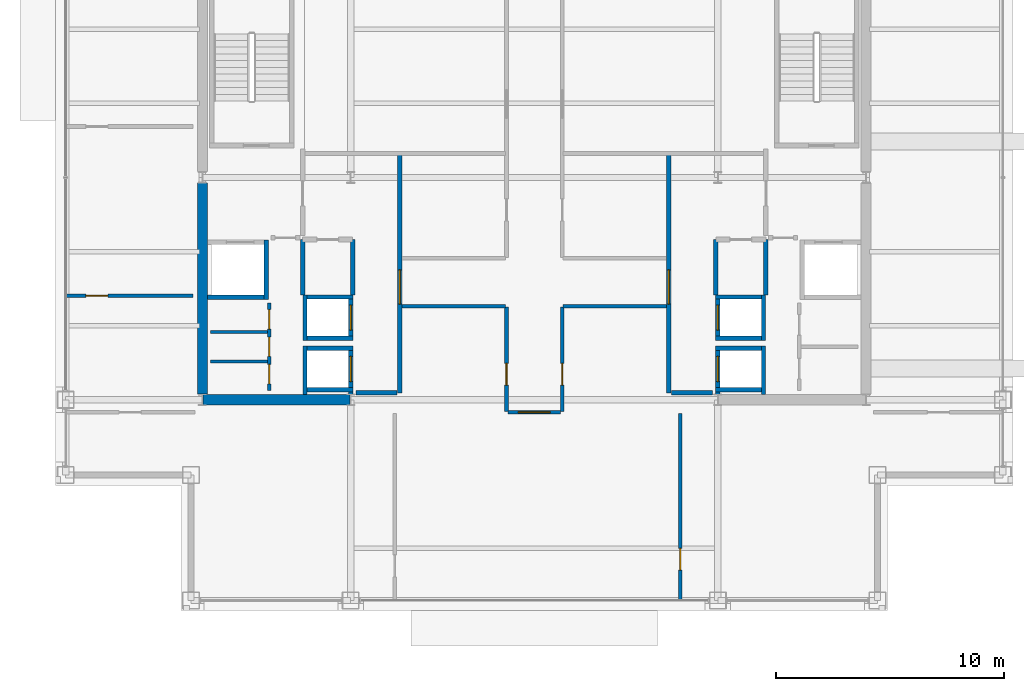
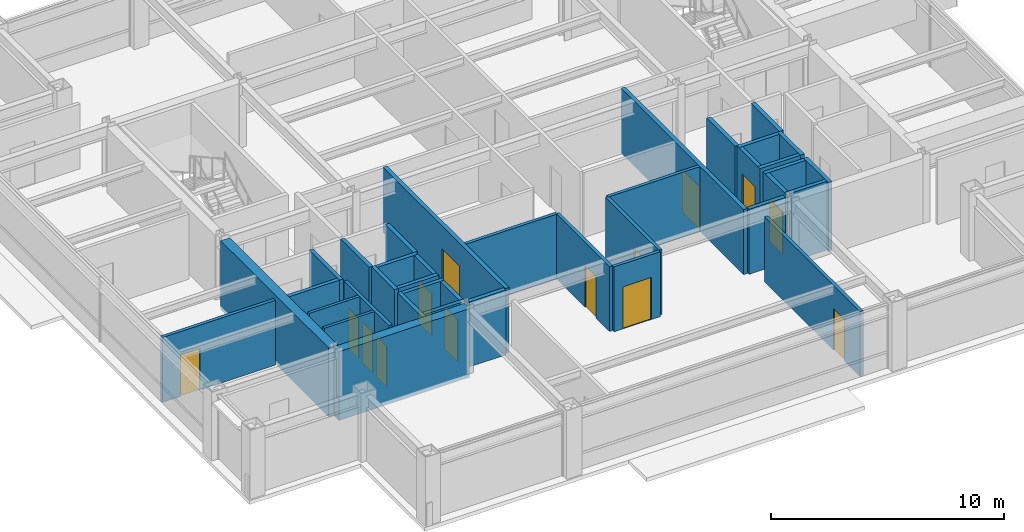
# One storey, part 23 of 26: 38 walls, 14 doors, 14 openings.
"""IFC4 building model written with IfcOpenShell, lengths in metres."""

from ifc_helpers import new_model, si_unit, direction, frame, frame_2d, origin, place, context, subcontext, project, spatial, rectangle, extrude, material, layer, layer_set, type_object, element, fill, save


model = new_model("IFC4")

# Units and contexts
model_context = context("Model", 3, precision=1e-05, world=origin(), true_north=direction((0.0, 1.0)))
body_context = subcontext(model_context, "Body", "Model", "MODEL_VIEW")
ifc_project = project(units=[si_unit("LENGTHUNIT", "METRE"), si_unit("AREAUNIT", "SQUARE_METRE"), si_unit("VOLUMEUNIT", "CUBIC_METRE"), si_unit("PLANEANGLEUNIT", "RADIAN"), si_unit("MASSUNIT", "GRAM", prefix="KILO")], contexts=[model_context])

# Site, building, storey
site_placement = place(None, origin())
site = spatial("IfcSite", under=ifc_project, at=site_placement, CompositionType="ELEMENT")
building_placement = place(site_placement, origin())
building = spatial("IfcBuilding", under=site, at=building_placement, Name="Brelmoor Portico Tower", CompositionType="ELEMENT")
storey_placement = place(building_placement, frame((0.0, 0.0, 180.300048828125)))
storey = spatial("IfcBuildingStorey", under=building, at=storey_placement, Name="L47", CompositionType="ELEMENT", Elevation=180.300048828125)

# Walls
ifc_material_1 = material(Name="Concrete C50", Category="concrete")
ifc_layer_1 = layer(ifc_material_1, 0.449951171875)
ifc_layer_set_1 = layer_set([ifc_layer_1], Name="Concrete C50")
wall_type_1 = type_object("IfcWallType", Name="WL-CORE-450", PredefinedType="SHEAR", material=ifc_layer_set_1)
wall_1_placement = place(storey_placement, frame((-14.530029296875, -9.75, -0.199951171875), z_axis=(0.0, 0.0, 1.0), x_axis=(1.0, 0.0, 0.0)))
element("IfcWall", 1, at=wall_1_placement, inside=storey, type_object=wall_type_1, Name="L47 WC South Shear Wall", PredefinedType="SHEAR", context=body_context, shape_type="SweptSolid", body=[
    extrude(rectangle(XDim=6.4599609375, YDim=0.449951171875, at=frame_2d((3.22998046875, 0.0))), origin(), (0.0, 0.0, 1.0), 3.599853515625),
])
wall_2_placement = place(storey_placement, frame((-14.550048828125, -9.5, -0.199951171875), z_axis=(0.0, 0.0, 1.0), x_axis=(0.0, 1.0, 0.0)))
element("IfcWall", 2, at=wall_2_placement, inside=storey, type_object=wall_type_1, Name="L47 WC Outer South Shear Wall", PredefinedType="SHEAR", context=body_context, shape_type="SweptSolid", body=[
    extrude(rectangle(XDim=9.25, YDim=0.449951171875, at=frame_2d((4.625, 0.0))), origin(), (0.0, 0.0, 1.0), 3.599853515625),
])
ifc_material_2 = material(Name="Insulated Stud Suite Partition", Category="gypsum")
ifc_layer_2 = layer(ifc_material_2, 0.139892578125)
ifc_layer_set_2 = layer_set([ifc_layer_2], Name="Insulated Stud Suite Partition")
wall_type_2 = type_object("IfcWallType", Name="WL-PART-140", PredefinedType="PARTITIONING", material=ifc_layer_set_2)
for number, where, z_axis, x_axis, name in (
    (3, (-11.699951171875, -8.066650390625, 0.0), (0.0, 0.0, 1.0), (-1.0, 0.0, 0.0), "L47 W Core WC Divider 1"),
    (4, (-11.699951171875, -6.783203125, 0.0), (0.0, 0.0, 1.0), (-1.0, 0.0, 0.0), "L47 W Core WC Divider 2"),
):
    element("IfcWall", number, at=place(storey_placement, frame(where, z_axis=z_axis, x_axis=x_axis)), inside=storey, type_object=wall_type_2, Name=name, PredefinedType="PARTITIONING", context=body_context, shape_type="SweptSolid", body=[
        extrude(rectangle(XDim=2.5, YDim=0.139892578125, at=frame_2d((1.25, 0.0))), origin(), (0.0, 0.0, 1.0), 3.39990234375),
    ])

# Wall, openings, doors
ifc_material_3 = material(Name="Twin-Frame Acoustic Partition", Category="gypsum")
ifc_layer_3 = layer(ifc_material_3, 0.159912109375)
ifc_layer_set_3 = layer_set([ifc_layer_3], Name="Twin-Frame Acoustic Partition")
wall_type_3 = type_object("IfcWallType", Name="WL-PART-160", PredefinedType="PARTITIONING", material=ifc_layer_set_3)
wall_3_placement = place(storey_placement, frame((-11.6201171875, -9.35009765625, 0.0), z_axis=(0.0, 0.0, 1.0), x_axis=(0.0, 1.0, 0.0)))
wall_3 = element("IfcWall", 5, at=wall_3_placement, inside=storey, type_object=wall_type_3, Name="L47 W Core Service Front Wall", PredefinedType="PARTITIONING", context=body_context, shape_type="SweptSolid", body=[
    extrude(rectangle(XDim=3.85009765625, YDim=0.159912109375, at=frame_2d((1.925048828125, 0.0))), origin(), (0.0, 0.0, 1.0), 3.39990234375),
])
opening_1_placement = place(wall_3_placement, frame((0.300048828125, 0.0, 0.0)))
opening_1 = element("IfcOpeningElement", 6, at=opening_1_placement, cuts=wall_3, Name="Opening D-WC1", PredefinedType="OPENING", context=body_context, shape_type="SweptSolid", body=[
    extrude(rectangle(XDim=0.85009765625, YDim=2.1201171875, at=frame_2d((0.425048828125, 1.06005859375))), frame((0.0, 0.08984375, 0.0), z_axis=(0.0, -1.0, 0.0), x_axis=(1.0, 0.0, 0.0)), (0.0, 0.0, 1.0), 0.179931640625),
])
opening_2_placement = place(wall_3_placement, frame((1.5, 0.0, 0.0)))
opening_2 = element("IfcOpeningElement", 7, at=opening_2_placement, cuts=wall_3, Name="Opening D-WC1", PredefinedType="OPENING", context=body_context, shape_type="SweptSolid", body=[
    extrude(rectangle(XDim=0.85009765625, YDim=2.1201171875, at=frame_2d((0.425048828125, 1.06005859375))), frame((0.0, 0.08984375, 0.0), z_axis=(0.0, -1.0, 0.0), x_axis=(1.0, 0.0, 0.0)), (0.0, 0.0, 1.0), 0.179931640625),
])
opening_3_placement = place(wall_3_placement, frame((2.699951171875, 0.0, 0.0)))
opening_3 = element("IfcOpeningElement", 8, at=opening_3_placement, cuts=wall_3, Name="Opening D-WC1", PredefinedType="OPENING", context=body_context, shape_type="SweptSolid", body=[
    extrude(rectangle(XDim=0.85009765625, YDim=2.1201171875, at=frame_2d((0.425048828125, 1.06005859375))), frame((0.0, 0.08984375, 0.0), z_axis=(0.0, -1.0, 0.0), x_axis=(1.0, 0.0, 0.0)), (0.0, 0.0, 1.0), 0.179931640625),
])
ifc_material_4 = material(Name="Moisture-Resistant Laminate WC Door", Category="timber")
door_type_1 = type_object("IfcDoorType", Name="DR-WC-850", OperationType="NOTDEFINED", PredefinedType="DOOR", material=ifc_material_4)
door_1_placement = place(opening_1_placement, origin())
door_1 = element("IfcDoor", 9, at=door_1_placement, inside=storey, type_object=door_type_1, Name="D-1995 L47 W Accessible WC Door", OperationType="SINGLE_SWING_LEFT", OverallHeight=2.1201171875, OverallWidth=0.85009765625, PredefinedType="DOOR", context=body_context, shape_type="SweptSolid", body=[
    extrude(rectangle(XDim=0.85009765625, YDim=2.1201171875, at=frame_2d((0.425048828125, 1.06005859375))), frame((0.0, 0.02490234375, 0.0), z_axis=(0.0, -1.0, 0.0), x_axis=(1.0, 0.0, 0.0)), (0.0, 0.0, 1.0), 0.050048828125),
])
fill(opening_1, door_1)
door_2_placement = place(opening_2_placement, origin())
door_2 = element("IfcDoor", 10, at=door_2_placement, inside=storey, type_object=door_type_1, Name="D-1996 L47 W Staff WC Door", OperationType="SINGLE_SWING_RIGHT", OverallHeight=2.1201171875, OverallWidth=0.85009765625, PredefinedType="DOOR", context=body_context, shape_type="SweptSolid", body=[
    extrude(rectangle(XDim=0.85009765625, YDim=2.1201171875, at=frame_2d((0.425048828125, 1.06005859375))), frame((0.0, 0.02490234375, 0.0), z_axis=(0.0, -1.0, 0.0), x_axis=(1.0, 0.0, 0.0)), (0.0, 0.0, 1.0), 0.050048828125),
])
fill(opening_2, door_2)
door_3_placement = place(opening_3_placement, origin())
door_3 = element("IfcDoor", 11, at=door_3_placement, inside=storey, type_object=door_type_1, Name="D-1997 L47 W Cleaner Store Door", OperationType="SINGLE_SWING_LEFT", OverallHeight=2.1201171875, OverallWidth=0.85009765625, PredefinedType="DOOR", context=body_context, shape_type="SweptSolid", body=[
    extrude(rectangle(XDim=0.85009765625, YDim=2.1201171875, at=frame_2d((0.425048828125, 1.06005859375))), frame((0.0, 0.02490234375, 0.0), z_axis=(0.0, -1.0, 0.0), x_axis=(1.0, 0.0, 0.0)), (0.0, 0.0, 1.0), 0.050048828125),
])
fill(opening_3, door_3)

# Wall, opening, door
wall_4_placement = place(storey_placement, frame((-1.219970703125, -10.260009765625, 0.0), z_axis=(0.0, 0.0, 1.0), x_axis=(0.0, 1.0, 0.0)))
wall_4 = element("IfcWall", 12, at=wall_4_placement, inside=storey, type_object=wall_type_3, Name="L47 South Cross West Wall", PredefinedType="PARTITIONING", context=body_context, shape_type="SweptSolid", body=[
    extrude(rectangle(XDim=4.580078125, YDim=0.159912109375, at=frame_2d((2.2900390625, 0.0))), origin(), (0.0, 0.0, 1.0), 3.39990234375),
])
opening_4_placement = place(wall_4_placement, frame((1.14990234375, 0.0, 0.0)))
opening_4 = element("IfcOpeningElement", 13, at=opening_4_placement, cuts=wall_4, Name="Opening D-IN2", PredefinedType="OPENING", context=body_context, shape_type="SweptSolid", body=[
    extrude(rectangle(XDim=0.9599609375, YDim=2.179931640625, at=frame_2d((0.47998046875, 1.08984375))), frame((0.0, 0.08984375, 0.0), z_axis=(0.0, -1.0, 0.0), x_axis=(1.0, 0.0, 0.0)), (0.0, 0.0, 1.0), 0.179931640625),
])
ifc_material_5 = material(Name="Lacquered Timber Suite Door", Category="wood")
door_type_2 = type_object("IfcDoorType", Name="DR-INT-950", OperationType="NOTDEFINED", PredefinedType="DOOR", material=ifc_material_5)
door_4_placement = place(opening_4_placement, origin())
door_4 = element("IfcDoor", 14, at=door_4_placement, inside=storey, type_object=door_type_2, Name="D-1988 L47 South-West Archive Room Door", OperationType="SINGLE_SWING_LEFT", OverallHeight=2.179931640625, OverallWidth=0.9599609375, PredefinedType="DOOR", context=body_context, shape_type="SweptSolid", body=[
    extrude(rectangle(XDim=0.9599609375, YDim=2.179931640625, at=frame_2d((0.47998046875, 1.08984375))), frame((0.0, 0.02490234375, 0.0), z_axis=(0.0, -1.0, 0.0), x_axis=(1.0, 0.0, 0.0)), (0.0, 0.0, 1.0), 0.050048828125),
])
fill(opening_4, door_4)

wall_5_placement = place(storey_placement, frame((1.219970703125, -10.260009765625, 0.0), z_axis=(0.0, 0.0, 1.0), x_axis=(0.0, 1.0, 0.0)))
wall_5 = element("IfcWall", 15, at=wall_5_placement, inside=storey, type_object=wall_type_3, Name="L47 South Cross East Wall", PredefinedType="PARTITIONING", context=body_context, shape_type="SweptSolid", body=[
    extrude(rectangle(XDim=4.580078125, YDim=0.159912109375, at=frame_2d((2.2900390625, 0.0))), origin(), (0.0, 0.0, 1.0), 3.39990234375),
])
opening_5_placement = place(wall_5_placement, frame((1.14990234375, 0.0, 0.0)))
opening_5 = element("IfcOpeningElement", 16, at=opening_5_placement, cuts=wall_5, Name="Opening D-IN2", PredefinedType="OPENING", context=body_context, shape_type="SweptSolid", body=[
    extrude(rectangle(XDim=0.9599609375, YDim=2.179931640625, at=frame_2d((0.47998046875, 1.08984375))), frame((0.0, 0.08984375, 0.0), z_axis=(0.0, -1.0, 0.0), x_axis=(1.0, 0.0, 0.0)), (0.0, 0.0, 1.0), 0.179931640625),
])
door_5_placement = place(opening_5_placement, origin())
door_5 = element("IfcDoor", 17, at=door_5_placement, inside=storey, type_object=door_type_2, Name="D-1987 L47 South-East Partner Office Door", OperationType="SINGLE_SWING_RIGHT", OverallHeight=2.179931640625, OverallWidth=0.9599609375, PredefinedType="DOOR", context=body_context, shape_type="SweptSolid", body=[
    extrude(rectangle(XDim=0.9599609375, YDim=2.179931640625, at=frame_2d((0.47998046875, 1.08984375))), frame((0.0, 0.02490234375, 0.0), z_axis=(0.0, -1.0, 0.0), x_axis=(1.0, 0.0, 0.0)), (0.0, 0.0, 1.0), 0.050048828125),
])
fill(opening_5, door_5)

# Walls
for number, where, z_axis, x_axis, name in (
    (18, (-5.800048828125, -5.64990234375, 0.0), (0.0, 0.0, 1.0), (1.0, 0.0, 0.0), "L47 South-West Chamber Top Wall"),
    (19, (1.260009765625, -5.64990234375, 0.0), (0.0, 0.0, 1.0), (1.0, 0.0, 0.0), "L47 South-East Chamber Top Wall"),
):
    element("IfcWall", number, at=place(storey_placement, frame(where, z_axis=z_axis, x_axis=x_axis)), inside=storey, type_object=wall_type_3, Name=name, PredefinedType="PARTITIONING", context=body_context, shape_type="SweptSolid", body=[
        extrude(rectangle(XDim=4.5400390625, YDim=0.159912109375, at=frame_2d((2.27001953125, 0.0))), origin(), (0.0, 0.0, 1.0), 3.39990234375),
    ])

# Wall, opening, door
wall_6_placement = place(storey_placement, frame((6.398681640625, -18.56005859375, 0.0), z_axis=(0.0, 0.0, 1.0), x_axis=(0.0, 1.0, 0.0)))
wall_6 = element("IfcWall", 20, at=wall_6_placement, inside=storey, type_object=wall_type_3, Name="L47 South Suite Partition 2", PredefinedType="PARTITIONING", context=body_context, shape_type="SweptSolid", body=[
    extrude(rectangle(XDim=8.199951171875, YDim=0.159912109375, at=frame_2d((4.10009765625, 0.0))), origin(), (0.0, 0.0, 1.0), 3.39990234375),
])
opening_6_placement = place(wall_6_placement, frame((1.340087890625, 0.0, 0.0)))
opening_6 = element("IfcOpeningElement", 21, at=opening_6_placement, cuts=wall_6, Name="Opening D-IN2", PredefinedType="OPENING", context=body_context, shape_type="SweptSolid", body=[
    extrude(rectangle(XDim=0.9599609375, YDim=2.179931640625, at=frame_2d((0.47998046875, 1.08984375))), frame((0.0, 0.08984375, 0.0), z_axis=(0.0, -1.0, 0.0), x_axis=(1.0, 0.0, 0.0)), (0.0, 0.0, 1.0), 0.179931640625),
])
door_6_placement = place(opening_6_placement, origin())
door_6 = element("IfcDoor", 22, at=door_6_placement, inside=storey, type_object=door_type_2, Name="D-2011 L47 South Suite Connecting Door 2", OperationType="SINGLE_SWING_LEFT", OverallHeight=2.179931640625, OverallWidth=0.9599609375, PredefinedType="DOOR", context=body_context, shape_type="SweptSolid", body=[
    extrude(rectangle(XDim=0.9599609375, YDim=2.179931640625, at=frame_2d((0.47998046875, 1.08984375))), frame((0.0, 0.02490234375, 0.0), z_axis=(0.0, -1.0, 0.0), x_axis=(1.0, 0.0, 0.0)), (0.0, 0.0, 1.0), 0.050048828125),
])
fill(opening_6, door_6)

wall_7_placement = place(storey_placement, frame((-1.14990234375, -10.300048828125, 0.0), z_axis=(0.0, 0.0, 1.0), x_axis=(1.0, 0.0, 0.0)))
wall_7 = element("IfcWall", 23, at=wall_7_placement, inside=storey, type_object=wall_type_3, Name="L47 South Corridor Partition", PredefinedType="PARTITIONING", context=body_context, shape_type="SweptSolid", body=[
    extrude(rectangle(XDim=2.2998046875, YDim=0.159912109375, at=frame_2d((1.14990234375, 0.0))), origin(), (0.0, 0.0, 1.0), 3.39990234375),
])
opening_7_placement = place(wall_7_placement, frame((0.449951171875, 0.0, 0.0)))
opening_7 = element("IfcOpeningElement", 24, at=opening_7_placement, cuts=wall_7, Name="Opening D-SU2", PredefinedType="OPENING", context=body_context, shape_type="SweptSolid", body=[
    extrude(rectangle(XDim=1.39990234375, YDim=2.199951171875, at=frame_2d((0.699951171875, 1.10009765625))), frame((0.0, 0.08984375, 0.0), z_axis=(0.0, -1.0, 0.0), x_axis=(1.0, 0.0, 0.0)), (0.0, 0.0, 1.0), 0.179931640625),
])
ifc_material_6 = material(Name="Double-Leaf Acoustic Suite Door", Category="timber")
door_type_3 = type_object("IfcDoorType", Name="DR-SUITE-1400", OperationType="NOTDEFINED", PredefinedType="DOOR", material=ifc_material_6)
door_7_placement = place(opening_7_placement, origin())
door_7 = element("IfcDoor", 25, at=door_7_placement, inside=storey, type_object=door_type_3, Name="D-2009 L47 South Cellular Office 2 Door", OperationType="DOUBLE_DOOR_SINGLE_SWING", OverallHeight=2.199951171875, OverallWidth=1.39990234375, PredefinedType="DOOR", context=body_context, shape_type="SweptSolid", body=[
    extrude(rectangle(XDim=1.39990234375, YDim=2.199951171875, at=frame_2d((0.699951171875, 1.10009765625))), frame((0.0, 0.02490234375, 0.0), z_axis=(0.0, -1.0, 0.0), x_axis=(1.0, 0.0, 0.0)), (0.0, 0.0, 1.0), 0.050048828125),
])
fill(opening_7, door_7)

wall_8_placement = place(storey_placement, frame((-20.56005859375, -5.194580078125, 0.0), z_axis=(0.0, 0.0, 1.0), x_axis=(1.0, 0.0, 0.0)))
wall_8 = element("IfcWall", 26, at=wall_8_placement, inside=storey, type_object=wall_type_3, Name="L47 W Wing Partition 1", PredefinedType="PARTITIONING", context=body_context, shape_type="SweptSolid", body=[
    extrude(rectangle(XDim=5.60009765625, YDim=0.159912109375, at=frame_2d((2.800048828125, 0.0))), origin(), (0.0, 0.0, 1.0), 3.39990234375),
])
opening_8_placement = place(wall_8_placement, frame((0.89990234375, 0.0, 0.0)))
opening_8 = element("IfcOpeningElement", 27, at=opening_8_placement, cuts=wall_8, Name="Opening D-IN2", PredefinedType="OPENING", context=body_context, shape_type="SweptSolid", body=[
    extrude(rectangle(XDim=0.9599609375, YDim=2.179931640625, at=frame_2d((0.47998046875, 1.08984375))), frame((0.0, 0.08984375, 0.0), z_axis=(0.0, -1.0, 0.0), x_axis=(1.0, 0.0, 0.0)), (0.0, 0.0, 1.0), 0.179931640625),
])
door_8_placement = place(opening_8_placement, origin())
door_8 = element("IfcDoor", 28, at=door_8_placement, inside=storey, type_object=door_type_2, Name="D-2016 L47 W Wing Suite Connecting Door 1", OperationType="SINGLE_SWING_RIGHT", OverallHeight=2.179931640625, OverallWidth=0.9599609375, PredefinedType="DOOR", context=body_context, shape_type="SweptSolid", body=[
    extrude(rectangle(XDim=0.9599609375, YDim=2.179931640625, at=frame_2d((0.47998046875, 1.08984375))), frame((0.0, 0.02490234375, 0.0), z_axis=(0.0, -1.0, 0.0), x_axis=(1.0, 0.0, 0.0)), (0.0, 0.0, 1.0), 0.050048828125),
])
fill(opening_8, door_8)

ifc_material_7 = material(Name="Double-Stud Gypsum Fire Partition", Category="gypsum")
ifc_layer_4 = layer(ifc_material_7, 0.199951171875)
ifc_layer_set_4 = layer_set([ifc_layer_4], Name="Double-Stud Gypsum Fire Partition")
wall_type_4 = type_object("IfcWallType", Name="WL-PART-200", PredefinedType="PARTITIONING", material=ifc_layer_set_4)
wall_9_placement = place(storey_placement, frame((-5.89990234375, -9.449951171875, 0.0), z_axis=(0.0, 0.0, 1.0), x_axis=(0.0, 1.0, 0.0)))
wall_9 = element("IfcWall", 29, at=wall_9_placement, inside=storey, type_object=wall_type_4, Name="L47 W Core Lobby Compartment Wall", PredefinedType="PARTITIONING", context=body_context, shape_type="SweptSolid", body=[
    extrude(rectangle(XDim=10.5, YDim=0.199951171875, at=frame_2d((5.25, 0.0))), origin(), (0.0, 0.0, 1.0), 3.39990234375),
])
opening_9_placement = place(wall_9_placement, frame((3.89990234375, 0.0, 0.0)))
opening_9 = element("IfcOpeningElement", 30, at=opening_9_placement, cuts=wall_9, Name="Opening D-LB1", PredefinedType="OPENING", context=body_context, shape_type="SweptSolid", body=[
    extrude(rectangle(XDim=1.5, YDim=2.199951171875, at=frame_2d((0.75, 1.10009765625))), frame((0.0, 0.10986328125, 0.0), z_axis=(0.0, -1.0, 0.0), x_axis=(1.0, 0.0, 0.0)), (0.0, 0.0, 1.0), 0.219970703125),
])
ifc_material_8 = material(Name="Double-Leaf Glazed Steel Fire Door", Category="steel")
door_type_4 = type_object("IfcDoorType", Name="DR-LOBBY-1500", OperationType="NOTDEFINED", PredefinedType="DOOR", material=ifc_material_8)
door_9_placement = place(opening_9_placement, origin())
door_9 = element("IfcDoor", 31, at=door_9_placement, inside=storey, type_object=door_type_4, Name="D-2003 L47 W Lift Lobby Main Door", OperationType="DOUBLE_DOOR_SINGLE_SWING", OverallHeight=2.199951171875, OverallWidth=1.5, PredefinedType="DOOR", context=body_context, shape_type="SweptSolid", body=[
    extrude(rectangle(XDim=1.5, YDim=2.199951171875, at=frame_2d((0.75, 1.10009765625))), frame((0.0, 0.02490234375, 0.0), z_axis=(0.0, -1.0, 0.0), x_axis=(1.0, 0.0, 0.0)), (0.0, 0.0, 1.0), 0.050048828125),
])
fill(opening_9, door_9)

# Walls
wall_10_placement = place(storey_placement, frame((-6.02001953125, -9.449951171875, 0.0), z_axis=(0.0, 0.0, 1.0), x_axis=(-1.0, 0.0, 0.0)))
element("IfcWall", 32, at=wall_10_placement, inside=storey, type_object=wall_type_4, Name="L47 W Lift Lobby South End Wall", PredefinedType="PARTITIONING", context=body_context, shape_type="SweptSolid", body=[
    extrude(rectangle(XDim=1.800048828125, YDim=0.199951171875, at=frame_2d((0.89990234375, 0.0))), origin(), (0.0, 0.0, 1.0), 3.39990234375),
])
for number, where, z_axis, x_axis, name in (
    (33, (-7.9599609375, -5.159912109375, 0.0), (0.0, 0.0, 1.0), (0.0, 1.0, 0.0), "L47 W Electrical Switchgear Closet Inner Wall"),
    (34, (-10.159912109375, -5.159912109375, 0.0), (0.0, 0.0, 1.0), (0.0, 1.0, 0.0), "L47 W Electrical Switchgear Closet Outer Wall"),
):
    element("IfcWall", number, at=place(storey_placement, frame(where, z_axis=z_axis, x_axis=x_axis)), inside=storey, type_object=wall_type_4, Name=name, PredefinedType="PARTITIONING", context=body_context, shape_type="SweptSolid", body=[
        extrude(rectangle(XDim=2.43994140625, YDim=0.199951171875, at=frame_2d((1.219970703125, 0.0))), origin(), (0.0, 0.0, 1.0), 3.39990234375),
    ])

# Wall, opening, door
wall_11_placement = place(storey_placement, frame((5.89990234375, -9.449951171875, 0.0), z_axis=(0.0, 0.0, 1.0), x_axis=(0.0, 1.0, 0.0)))
wall_11 = element("IfcWall", 35, at=wall_11_placement, inside=storey, type_object=wall_type_4, Name="L47 E Core Lobby Compartment Wall", PredefinedType="PARTITIONING", context=body_context, shape_type="SweptSolid", body=[
    extrude(rectangle(XDim=10.5, YDim=0.199951171875, at=frame_2d((5.25, 0.0))), origin(), (0.0, 0.0, 1.0), 3.39990234375),
])
opening_10_placement = place(wall_11_placement, frame((3.89990234375, 0.0, 0.0)))
opening_10 = element("IfcOpeningElement", 36, at=opening_10_placement, cuts=wall_11, Name="Opening D-LB1", PredefinedType="OPENING", context=body_context, shape_type="SweptSolid", body=[
    extrude(rectangle(XDim=1.5, YDim=2.199951171875, at=frame_2d((0.75, 1.10009765625))), frame((0.0, 0.10986328125, 0.0), z_axis=(0.0, -1.0, 0.0), x_axis=(1.0, 0.0, 0.0)), (0.0, 0.0, 1.0), 0.219970703125),
])
door_10_placement = place(opening_10_placement, origin())
door_10 = element("IfcDoor", 37, at=door_10_placement, inside=storey, type_object=door_type_4, Name="D-2002 L47 E Lift Lobby Main Door", OperationType="DOUBLE_DOOR_SINGLE_SWING", OverallHeight=2.199951171875, OverallWidth=1.5, PredefinedType="DOOR", context=body_context, shape_type="SweptSolid", body=[
    extrude(rectangle(XDim=1.5, YDim=2.199951171875, at=frame_2d((0.75, 1.10009765625))), frame((0.0, 0.02490234375, 0.0), z_axis=(0.0, -1.0, 0.0), x_axis=(1.0, 0.0, 0.0)), (0.0, 0.0, 1.0), 0.050048828125),
])
fill(opening_10, door_10)

# Walls
wall_12_placement = place(storey_placement, frame((6.02001953125, -9.449951171875, 0.0), z_axis=(0.0, 0.0, 1.0), x_axis=(1.0, 0.0, 0.0)))
element("IfcWall", 38, at=wall_12_placement, inside=storey, type_object=wall_type_4, Name="L47 E Lift Lobby South End Wall", PredefinedType="PARTITIONING", context=body_context, shape_type="SweptSolid", body=[
    extrude(rectangle(XDim=1.800048828125, YDim=0.199951171875, at=frame_2d((0.89990234375, 0.0))), origin(), (0.0, 0.0, 1.0), 3.39990234375),
])
for number, where, z_axis, x_axis, name in (
    (39, (7.9599609375, -5.159912109375, 0.0), (0.0, 0.0, 1.0), (0.0, 1.0, 0.0), "L47 E Electrical Switchgear Closet Inner Wall"),
    (40, (10.159912109375, -5.159912109375, 0.0), (0.0, 0.0, 1.0), (0.0, 1.0, 0.0), "L47 E Electrical Switchgear Closet Outer Wall"),
):
    element("IfcWall", number, at=place(storey_placement, frame(where, z_axis=z_axis, x_axis=x_axis)), inside=storey, type_object=wall_type_4, Name=name, PredefinedType="PARTITIONING", context=body_context, shape_type="SweptSolid", body=[
        extrude(rectangle(XDim=2.43994140625, YDim=0.199951171875, at=frame_2d((1.219970703125, 0.0))), origin(), (0.0, 0.0, 1.0), 3.39990234375),
    ])

# Wall, opening, door
ifc_material_9 = material(Name="Precast Concrete C40", Category="concrete")
ifc_layer_5 = layer(ifc_material_9, 0.18994140625)
ifc_layer_set_5 = layer_set([ifc_layer_5], Name="Precast Concrete C40")
wall_type_5 = type_object("IfcWallType", Name="WL-SHAFT-180", PredefinedType="SOLIDWALL", material=ifc_layer_set_5)
wall_13_placement = place(storey_placement, frame((-8.044921875, -9.52001953125, -0.199951171875), z_axis=(0.0, 0.0, 1.0), x_axis=(0.0, 1.0, 0.0)))
wall_13 = element("IfcWall", 41, at=wall_13_placement, inside=storey, type_object=wall_type_5, Name="L47 Lift PH1 Hoistway Front Wall", PredefinedType="SOLIDWALL", context=body_context, shape_type="SweptSolid", body=[
    extrude(rectangle(XDim=2.1201171875, YDim=0.18994140625, at=frame_2d((1.06005859375, 0.0))), origin(), (0.0, 0.0, 1.0), 3.599853515625),
])
opening_11_placement = place(wall_13_placement, frame((0.570068359375, 0.0, 0.199951171875)))
opening_11 = element("IfcOpeningElement", 42, at=opening_11_placement, cuts=wall_13, Name="Opening LD-01", PredefinedType="OPENING", context=body_context, shape_type="SweptSolid", body=[
    extrude(rectangle(XDim=1.10009765625, YDim=2.199951171875, at=frame_2d((0.550048828125, 1.10009765625))), frame((0.0, 0.10498046875, 0.0), z_axis=(0.0, -1.0, 0.0), x_axis=(1.0, 0.0, 0.0)), (0.0, 0.0, 1.0), 0.2099609375),
])
ifc_material_10 = material(Name="Brushed Stainless Steel Sliding Lift Door", Category="steel")
door_type_5 = type_object("IfcDoorType", Name="DR-LIFT-1100", OperationType="NOTDEFINED", PredefinedType="DOOR", material=ifc_material_10)
door_11_placement = place(opening_11_placement, origin())
door_11 = element("IfcDoor", 43, at=door_11_placement, inside=storey, type_object=door_type_5, Name="D-2020 L47 Lift PH1 Sliding Landing Door", OperationType="SLIDING_TO_LEFT", OverallHeight=2.199951171875, OverallWidth=1.10009765625, PredefinedType="DOOR", context=body_context, shape_type="SweptSolid", body=[
    extrude(rectangle(XDim=1.10009765625, YDim=2.199951171875, at=frame_2d((0.550048828125, 1.10009765625))), frame((0.0, 0.02490234375, 0.0), z_axis=(0.0, -1.0, 0.0), x_axis=(1.0, 0.0, 0.0)), (0.0, 0.0, 1.0), 0.050048828125),
])
fill(opening_11, door_11)

# Walls
wall_14_placement = place(storey_placement, frame((-10.054931640625, -9.52001953125, -0.199951171875), z_axis=(0.0, 0.0, 1.0), x_axis=(0.0, 1.0, 0.0)))
element("IfcWall", 44, at=wall_14_placement, inside=storey, type_object=wall_type_5, Name="L47 Lift PH1 Hoistway Back Wall", PredefinedType="SOLIDWALL", context=body_context, shape_type="SweptSolid", body=[
    extrude(rectangle(XDim=2.1201171875, YDim=0.18994140625, at=frame_2d((1.06005859375, 0.0))), origin(), (0.0, 0.0, 1.0), 3.599853515625),
])
for number, where, z_axis, x_axis, name in (
    (45, (-10.14990234375, -7.4951171875, -0.199951171875), (0.0, 0.0, 1.0), (1.0, 0.0, 0.0), "L47 Lift PH1 Hoistway North Wall"),
    (46, (-10.14990234375, -9.304931640625, -0.199951171875), (0.0, 0.0, 1.0), (1.0, 0.0, 0.0), "L47 Lift PH1 Hoistway South Wall"),
):
    element("IfcWall", number, at=place(storey_placement, frame(where, z_axis=z_axis, x_axis=x_axis)), inside=storey, type_object=wall_type_5, Name=name, PredefinedType="SOLIDWALL", context=body_context, shape_type="SweptSolid", body=[
        extrude(rectangle(XDim=2.199951171875, YDim=0.18994140625, at=frame_2d((1.10009765625, 0.0))), origin(), (0.0, 0.0, 1.0), 3.599853515625),
    ])

# Wall, opening, door
wall_15_placement = place(storey_placement, frame((-8.044921875, -7.14990234375, -0.199951171875), z_axis=(0.0, 0.0, 1.0), x_axis=(0.0, 1.0, 0.0)))
wall_15 = element("IfcWall", 47, at=wall_15_placement, inside=storey, type_object=wall_type_5, Name="L47 Lift PH2 Hoistway Front Wall", PredefinedType="SOLIDWALL", context=body_context, shape_type="SweptSolid", body=[
    extrude(rectangle(XDim=2.0, YDim=0.18994140625, at=frame_2d((1.0, 0.0))), origin(), (0.0, 0.0, 1.0), 3.599853515625),
])
opening_12_placement = place(wall_15_placement, frame((0.449951171875, 0.0, 0.199951171875)))
opening_12 = element("IfcOpeningElement", 48, at=opening_12_placement, cuts=wall_15, Name="Opening LD-01", PredefinedType="OPENING", context=body_context, shape_type="SweptSolid", body=[
    extrude(rectangle(XDim=1.10009765625, YDim=2.199951171875, at=frame_2d((0.550048828125, 1.10009765625))), frame((0.0, 0.10498046875, 0.0), z_axis=(0.0, -1.0, 0.0), x_axis=(1.0, 0.0, 0.0)), (0.0, 0.0, 1.0), 0.2099609375),
])
door_12_placement = place(opening_12_placement, origin())
door_12 = element("IfcDoor", 49, at=door_12_placement, inside=storey, type_object=door_type_5, Name="D-2021 L47 Lift PH2 Sliding Landing Door", OperationType="SLIDING_TO_LEFT", OverallHeight=2.199951171875, OverallWidth=1.10009765625, PredefinedType="DOOR", context=body_context, shape_type="SweptSolid", body=[
    extrude(rectangle(XDim=1.10009765625, YDim=2.199951171875, at=frame_2d((0.550048828125, 1.10009765625))), frame((0.0, 0.02490234375, 0.0), z_axis=(0.0, -1.0, 0.0), x_axis=(1.0, 0.0, 0.0)), (0.0, 0.0, 1.0), 0.050048828125),
])
fill(opening_12, door_12)

# Walls
wall_16_placement = place(storey_placement, frame((-10.054931640625, -7.14990234375, -0.199951171875), z_axis=(0.0, 0.0, 1.0), x_axis=(0.0, 1.0, 0.0)))
element("IfcWall", 50, at=wall_16_placement, inside=storey, type_object=wall_type_5, Name="L47 Lift PH2 Hoistway Back Wall", PredefinedType="SOLIDWALL", context=body_context, shape_type="SweptSolid", body=[
    extrude(rectangle(XDim=2.0, YDim=0.18994140625, at=frame_2d((1.0, 0.0))), origin(), (0.0, 0.0, 1.0), 3.599853515625),
])
for number, where, z_axis, x_axis, name in (
    (51, (-10.14990234375, -5.2451171875, -0.199951171875), (0.0, 0.0, 1.0), (1.0, 0.0, 0.0), "L47 Lift PH2 Hoistway North Wall"),
    (52, (-10.14990234375, -7.054931640625, -0.199951171875), (0.0, 0.0, 1.0), (1.0, 0.0, 0.0), "L47 Lift PH2 Hoistway South Wall"),
):
    element("IfcWall", number, at=place(storey_placement, frame(where, z_axis=z_axis, x_axis=x_axis)), inside=storey, type_object=wall_type_5, Name=name, PredefinedType="SOLIDWALL", context=body_context, shape_type="SweptSolid", body=[
        extrude(rectangle(XDim=2.199951171875, YDim=0.18994140625, at=frame_2d((1.10009765625, 0.0))), origin(), (0.0, 0.0, 1.0), 3.599853515625),
    ])

# Wall, opening, door
wall_17_placement = place(storey_placement, frame((8.044921875, -9.52001953125, -0.199951171875), z_axis=(0.0, 0.0, 1.0), x_axis=(0.0, 1.0, 0.0)))
wall_17 = element("IfcWall", 53, at=wall_17_placement, inside=storey, type_object=wall_type_5, Name="L47 Lift PH3 Hoistway Front Wall", PredefinedType="SOLIDWALL", context=body_context, shape_type="SweptSolid", body=[
    extrude(rectangle(XDim=2.1201171875, YDim=0.18994140625, at=frame_2d((1.06005859375, 0.0))), origin(), (0.0, 0.0, 1.0), 3.599853515625),
])
opening_13_placement = place(wall_17_placement, frame((0.570068359375, 0.0, 0.199951171875)))
opening_13 = element("IfcOpeningElement", 54, at=opening_13_placement, cuts=wall_17, Name="Opening LD-01", PredefinedType="OPENING", context=body_context, shape_type="SweptSolid", body=[
    extrude(rectangle(XDim=1.10009765625, YDim=2.199951171875, at=frame_2d((0.550048828125, 1.10009765625))), frame((0.0, 0.10498046875, 0.0), z_axis=(0.0, -1.0, 0.0), x_axis=(1.0, 0.0, 0.0)), (0.0, 0.0, 1.0), 0.2099609375),
])
door_13_placement = place(opening_13_placement, origin())
door_13 = element("IfcDoor", 55, at=door_13_placement, inside=storey, type_object=door_type_5, Name="D-2022 L47 Lift PH3 Sliding Landing Door", OperationType="SLIDING_TO_LEFT", OverallHeight=2.199951171875, OverallWidth=1.10009765625, PredefinedType="DOOR", context=body_context, shape_type="SweptSolid", body=[
    extrude(rectangle(XDim=1.10009765625, YDim=2.199951171875, at=frame_2d((0.550048828125, 1.10009765625))), frame((0.0, 0.02490234375, 0.0), z_axis=(0.0, -1.0, 0.0), x_axis=(1.0, 0.0, 0.0)), (0.0, 0.0, 1.0), 0.050048828125),
])
fill(opening_13, door_13)

# Walls
wall_18_placement = place(storey_placement, frame((10.054931640625, -9.52001953125, -0.199951171875), z_axis=(0.0, 0.0, 1.0), x_axis=(0.0, 1.0, 0.0)))
element("IfcWall", 56, at=wall_18_placement, inside=storey, type_object=wall_type_5, Name="L47 Lift PH3 Hoistway Back Wall", PredefinedType="SOLIDWALL", context=body_context, shape_type="SweptSolid", body=[
    extrude(rectangle(XDim=2.1201171875, YDim=0.18994140625, at=frame_2d((1.06005859375, 0.0))), origin(), (0.0, 0.0, 1.0), 3.599853515625),
])
for number, where, z_axis, x_axis, name in (
    (57, (7.949951171875, -7.4951171875, -0.199951171875), (0.0, 0.0, 1.0), (1.0, 0.0, 0.0), "L47 Lift PH3 Hoistway North Wall"),
    (58, (7.949951171875, -9.304931640625, -0.199951171875), (0.0, 0.0, 1.0), (1.0, 0.0, 0.0), "L47 Lift PH3 Hoistway South Wall"),
):
    element("IfcWall", number, at=place(storey_placement, frame(where, z_axis=z_axis, x_axis=x_axis)), inside=storey, type_object=wall_type_5, Name=name, PredefinedType="SOLIDWALL", context=body_context, shape_type="SweptSolid", body=[
        extrude(rectangle(XDim=2.199951171875, YDim=0.18994140625, at=frame_2d((1.10009765625, 0.0))), origin(), (0.0, 0.0, 1.0), 3.599853515625),
    ])

# Wall, opening, door
wall_19_placement = place(storey_placement, frame((8.044921875, -7.14990234375, -0.199951171875), z_axis=(0.0, 0.0, 1.0), x_axis=(0.0, 1.0, 0.0)))
wall_19 = element("IfcWall", 59, at=wall_19_placement, inside=storey, type_object=wall_type_5, Name="L47 Lift PH4 Hoistway Front Wall", PredefinedType="SOLIDWALL", context=body_context, shape_type="SweptSolid", body=[
    extrude(rectangle(XDim=2.0, YDim=0.18994140625, at=frame_2d((1.0, 0.0))), origin(), (0.0, 0.0, 1.0), 3.599853515625),
])
opening_14_placement = place(wall_19_placement, frame((0.449951171875, 0.0, 0.199951171875)))
opening_14 = element("IfcOpeningElement", 60, at=opening_14_placement, cuts=wall_19, Name="Opening LD-01", PredefinedType="OPENING", context=body_context, shape_type="SweptSolid", body=[
    extrude(rectangle(XDim=1.10009765625, YDim=2.199951171875, at=frame_2d((0.550048828125, 1.10009765625))), frame((0.0, 0.10498046875, 0.0), z_axis=(0.0, -1.0, 0.0), x_axis=(1.0, 0.0, 0.0)), (0.0, 0.0, 1.0), 0.2099609375),
])
door_14_placement = place(opening_14_placement, origin())
door_14 = element("IfcDoor", 61, at=door_14_placement, inside=storey, type_object=door_type_5, Name="D-2023 L47 Lift PH4 Sliding Landing Door", OperationType="SLIDING_TO_LEFT", OverallHeight=2.199951171875, OverallWidth=1.10009765625, PredefinedType="DOOR", context=body_context, shape_type="SweptSolid", body=[
    extrude(rectangle(XDim=1.10009765625, YDim=2.199951171875, at=frame_2d((0.550048828125, 1.10009765625))), frame((0.0, 0.02490234375, 0.0), z_axis=(0.0, -1.0, 0.0), x_axis=(1.0, 0.0, 0.0)), (0.0, 0.0, 1.0), 0.050048828125),
])
fill(opening_14, door_14)

# Walls
wall_20_placement = place(storey_placement, frame((10.054931640625, -7.14990234375, -0.199951171875), z_axis=(0.0, 0.0, 1.0), x_axis=(0.0, 1.0, 0.0)))
element("IfcWall", 62, at=wall_20_placement, inside=storey, type_object=wall_type_5, Name="L47 Lift PH4 Hoistway Back Wall", PredefinedType="SOLIDWALL", context=body_context, shape_type="SweptSolid", body=[
    extrude(rectangle(XDim=2.0, YDim=0.18994140625, at=frame_2d((1.0, 0.0))), origin(), (0.0, 0.0, 1.0), 3.599853515625),
])
for number, where, z_axis, x_axis, name in (
    (63, (7.949951171875, -5.2451171875, -0.199951171875), (0.0, 0.0, 1.0), (1.0, 0.0, 0.0), "L47 Lift PH4 Hoistway North Wall"),
    (64, (7.949951171875, -7.054931640625, -0.199951171875), (0.0, 0.0, 1.0), (1.0, 0.0, 0.0), "L47 Lift PH4 Hoistway South Wall"),
):
    element("IfcWall", number, at=place(storey_placement, frame(where, z_axis=z_axis, x_axis=x_axis)), inside=storey, type_object=wall_type_5, Name=name, PredefinedType="SOLIDWALL", context=body_context, shape_type="SweptSolid", body=[
        extrude(rectangle(XDim=2.199951171875, YDim=0.18994140625, at=frame_2d((1.10009765625, 0.0))), origin(), (0.0, 0.0, 1.0), 3.599853515625),
    ])
wall_21_placement = place(storey_placement, frame((-14.330078125, -5.2548828125, -0.199951171875), z_axis=(0.0, 0.0, 1.0), x_axis=(1.0, 0.0, 0.0)))
element("IfcWall", 65, at=wall_21_placement, inside=storey, type_object=wall_type_5, Name="L47 Firefighting Lift FF1 South Wall", PredefinedType="SOLIDWALL", context=body_context, shape_type="SweptSolid", body=[
    extrude(rectangle(XDim=2.68017578125, YDim=0.18994140625, at=frame_2d((1.340087890625, 0.0))), origin(), (0.0, 0.0, 1.0), 3.599853515625),
])
wall_22_placement = place(storey_placement, frame((-11.7451171875, -5.35009765625, -0.199951171875), z_axis=(0.0, 0.0, 1.0), x_axis=(0.0, 1.0, 0.0)))
element("IfcWall", 66, at=wall_22_placement, inside=storey, type_object=wall_type_5, Name="L47 Firefighting Lift FF1 Inner Wall", PredefinedType="SOLIDWALL", context=body_context, shape_type="SweptSolid", body=[
    extrude(rectangle(XDim=2.60009765625, YDim=0.18994140625, at=frame_2d((1.300048828125, 0.0))), origin(), (0.0, 0.0, 1.0), 3.599853515625),
])

save(model, "model.ifc")
